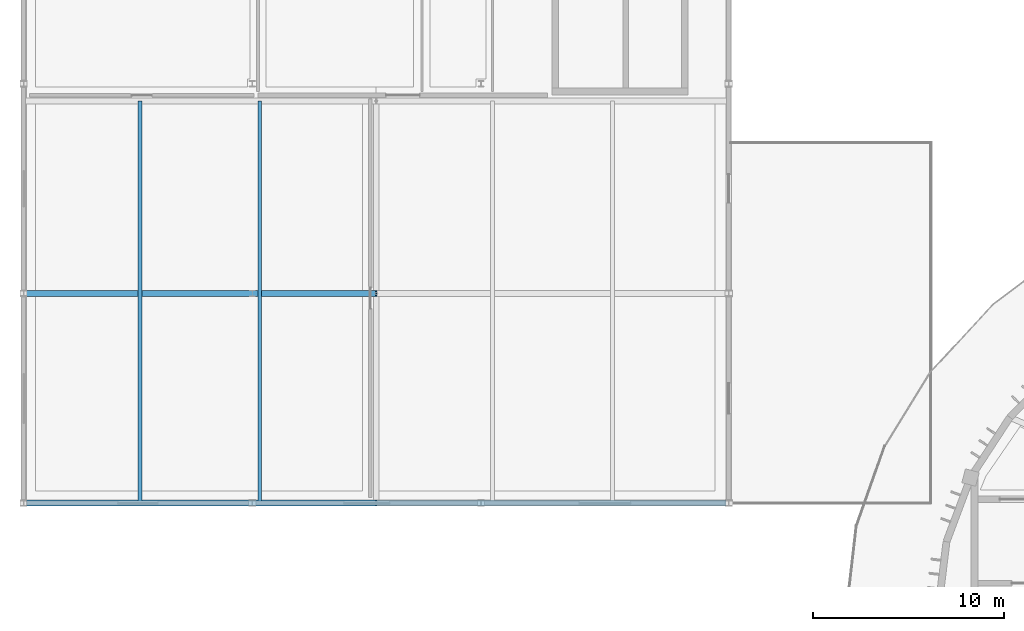
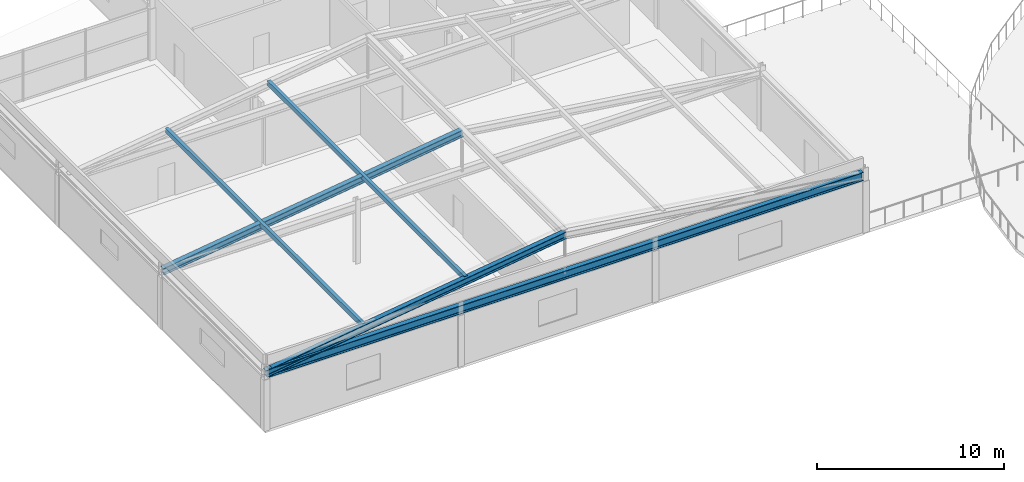
# One storey, part 11 of 63: 4 members, 1 beam.
"""IFC4 building model written with IfcOpenShell, lengths in metres."""

from ifc_helpers import new_model, si_unit, direction, frame, origin, origin_2d, place, context, subcontext, project, spatial, hollow_rectangle, i_section, extrude, material, material_profile, profile_set, type_object, element, save


model = new_model("IFC4")

# Units and contexts
model_context = context("Model", 3, precision=1e-05, world=origin(), true_north=direction((0.0, 1.0)))
body_context = subcontext(model_context, "Body", "Model", "MODEL_VIEW")
ifc_project = project(units=[si_unit("LENGTHUNIT", "METRE"), si_unit("AREAUNIT", "SQUARE_METRE"), si_unit("VOLUMEUNIT", "CUBIC_METRE"), si_unit("PLANEANGLEUNIT", "RADIAN"), si_unit("MASSUNIT", "GRAM", prefix="KILO")], contexts=[model_context])

# Site, building, storey
site_placement = place(None, origin())
site = spatial("IfcSite", under=ifc_project, at=site_placement, CompositionType="ELEMENT")
building_placement = place(site_placement, origin())
building = spatial("IfcBuilding", under=site, at=building_placement, Name="Tarnveldt Headland Concert Hall", CompositionType="ELEMENT")
storey_placement = place(building_placement, frame((0.0, 0.0, 14.39990234375)))
storey = spatial("IfcBuildingStorey", under=building, at=storey_placement, Name="L03", CompositionType="ELEMENT", Elevation=14.39990234375)

# Members
ifc_material = material(Name="Steel S355", Category="steel")
ifc_material_profile_1 = material_profile(ifc_material, hollow_rectangle(XDim=0.199951171875, YDim=0.300048828125, WallThickness=0.012451171875, at=origin_2d()), Name="RHS 300x200x12.5", Category="steel")
ifc_profile_set_1 = profile_set([ifc_material_profile_1], Name="Steel S355")
member_type_1 = type_object("IfcMemberType", Name="PR-RHS300", PredefinedType="PURLIN", material=ifc_profile_set_1)
for number, where, z_axis, x_axis, name in (
    (1, (13.60498046875, 60.0, 4.6181640625), (0.0, 1.0, 0.0), (-1.0, 0.0, 0.0), "Rehearsal roof purlin SW-33"),
    (2, (19.89501953125, 60.0, 5.502197265625), (0.0, 1.0, 0.0), (-1.0, 0.0, 0.0), "Rehearsal roof purlin SW-67"),
):
    element("IfcMember", number, at=place(storey_placement, frame(where, z_axis=z_axis, x_axis=x_axis)), inside=storey, type_object=member_type_1, Name=name, PredefinedType="PURLIN", context=body_context, shape_type="SweptSolid", body=[
        extrude(hollow_rectangle(XDim=0.199951171875, YDim=0.300048828125, WallThickness=0.012451171875, at=origin_2d()), origin(), (0.0, 0.0, 1.0), 21.10009765625),
    ])
ifc_material_profile_2 = material_profile(ifc_material, i_section(OverallWidth=0.300048828125, OverallDepth=0.449951171875, WebThickness=0.013916015625, FlangeThickness=0.02587890625, FilletRadius=0.027099609375, at=origin_2d()), Name="HEB450", Category="steel")
ifc_profile_set_2 = profile_set([ifc_material_profile_2], Name="Steel S355")
member_type_2 = type_object("IfcMemberType", Name="RF-HEB450", PredefinedType="RAFTER", material=ifc_profile_set_2)
for number, where, z_axis, x_axis, name in (
    (3, (7.5, 60.0, 3.68017578125), (0.990416332832, 0.0, 0.138114038601), (0.0, 1.0, 0.0), "ROOF TRUSS Rehearsal rafter S-1W"),
    (4, (7.5, 71.0, 3.68017578125), (0.990416332832, 0.0, 0.138114038601), (0.0, 1.0, 0.0), "ROOF TRUSS Rehearsal rafter S-2W"),
):
    element("IfcMember", number, at=place(storey_placement, frame(where, z_axis=z_axis, x_axis=x_axis)), inside=storey, type_object=member_type_2, Name=name, PredefinedType="RAFTER", context=body_context, shape_type="SweptSolid", body=[
        extrude(i_section(OverallWidth=0.300048828125, OverallDepth=0.449951171875, WebThickness=0.013916015625, FlangeThickness=0.02587890625, FilletRadius=0.027099609375, at=origin_2d()), origin(), (0.0, 0.0, 1.0), 18.678955078125),
    ])

# Beam
ifc_material_profile_3 = material_profile(ifc_material, i_section(OverallWidth=0.300048828125, OverallDepth=0.550048828125, WebThickness=0.014892578125, FlangeThickness=0.029052734375, FilletRadius=0.027099609375, at=origin_2d()), Name="HEB550", Category="steel")
ifc_profile_set_3 = profile_set([ifc_material_profile_3], Name="Steel S355")
beam_type = type_object("IfcBeamType", Name="SB-HEB550", PredefinedType="BEAM", material=ifc_profile_set_3)
beam_placement = place(storey_placement, frame((7.64990234375, 60.0, 3.68017578125), z_axis=(1.0, 0.0, 0.0), x_axis=(0.0, 1.0, 0.0)))
element("IfcBeam", 5, at=beam_placement, inside=storey, type_object=beam_type, Name="ROOF TRUSS bottom tie girder S-1", PredefinedType="BEAM", context=body_context, shape_type="SweptSolid", body=[
    extrude(i_section(OverallWidth=0.300048828125, OverallDepth=0.550048828125, WebThickness=0.014892578125, FlangeThickness=0.029052734375, FilletRadius=0.027099609375, at=origin_2d()), origin(), (0.0, 0.0, 1.0), 36.7001953125),
])

save(model, "model.ifc")
